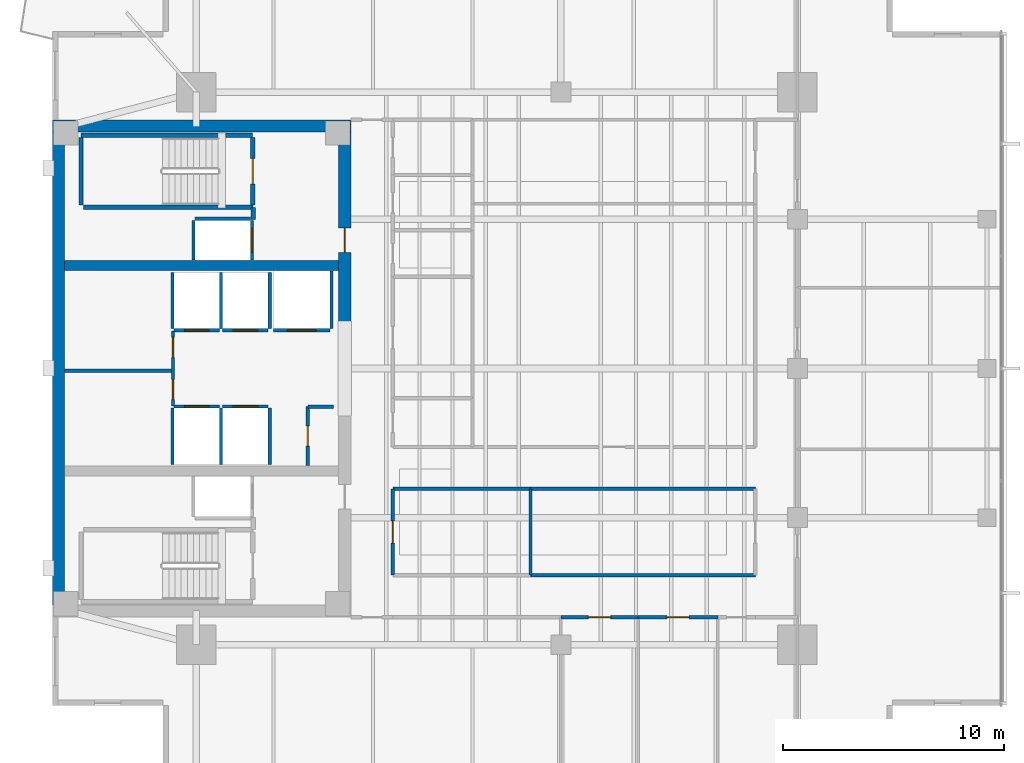
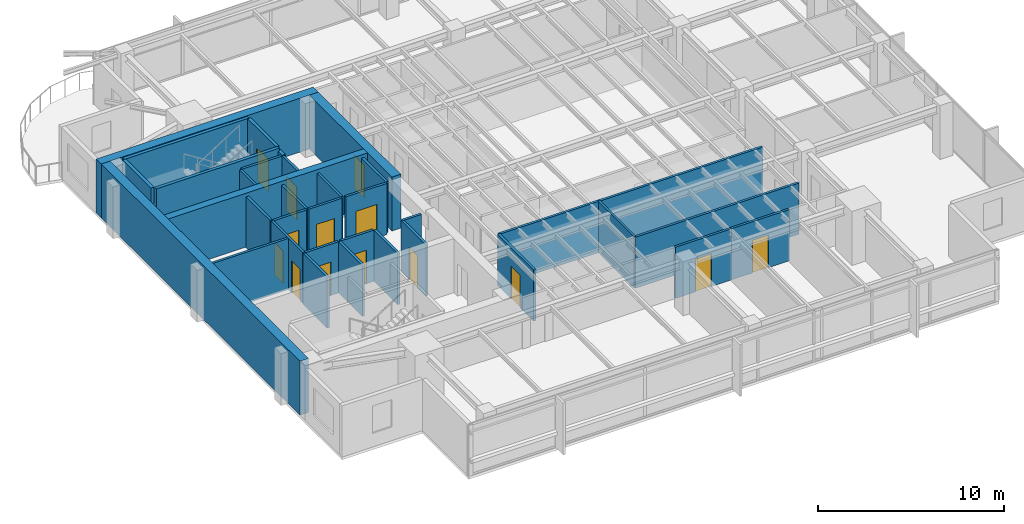
# One storey, part 8 of 14: 35 walls, 14 doors, 14 openings.
"""IFC4 building model written with IfcOpenShell, lengths in metres."""

from ifc_helpers import new_model, si_unit, direction, frame, frame_2d, origin, place, context, subcontext, project, spatial, rectangle, extrude, material, layer, layer_set, type_object, element, fill, save


model = new_model("IFC4")

# Units and contexts
model_context = context("Model", 3, precision=1e-05, world=origin(), true_north=direction((0.0, 1.0)))
body_context = subcontext(model_context, "Body", "Model", "MODEL_VIEW")
ifc_project = project(units=[si_unit("LENGTHUNIT", "METRE"), si_unit("AREAUNIT", "SQUARE_METRE"), si_unit("VOLUMEUNIT", "CUBIC_METRE"), si_unit("PLANEANGLEUNIT", "RADIAN"), si_unit("MASSUNIT", "GRAM", prefix="KILO")], contexts=[model_context])

# Site, building, storey
site_placement = place(None, origin())
site = spatial("IfcSite", under=ifc_project, at=site_placement, CompositionType="ELEMENT")
building_placement = place(site_placement, origin())
building = spatial("IfcBuilding", under=site, at=building_placement, Name="Kinhvarn Gate Tower", CompositionType="ELEMENT")
storey_placement = place(building_placement, frame((0.0, 0.0, 230.64990234375)))
storey = spatial("IfcBuildingStorey", under=building, at=storey_placement, Name="L61", CompositionType="ELEMENT", Elevation=230.64990234375)

# Walls
ifc_material_1 = material(Name="Concrete C50/60", Category="concrete")
ifc_layer_1 = layer(ifc_material_1, 0.449951171875)
ifc_layer_set_1 = layer_set([ifc_layer_1], Name="Concrete C50/60")
wall_type_1 = type_object("IfcWallType", Name="WL-CORE-450", PredefinedType="SHEAR", material=ifc_layer_set_1)
wall_1_placement = place(storey_placement, frame((5.050048828125, 29.89990234375, 0.0), z_axis=(0.0, 0.0, 1.0), x_axis=(1.0, 0.0, 0.0)))
element("IfcWall", 1, at=wall_1_placement, inside=storey, type_object=wall_type_1, Name="Core North Spine Shear Wall L61 450 mm", PredefinedType="SHEAR", context=body_context, shape_type="SweptSolid", body=[
    extrude(rectangle(XDim=12.39990234375, YDim=0.449951171875, at=frame_2d((6.199951171875, 0.0))), origin(), (0.0, 0.0, 1.0), 3.550048828125),
])
ifc_material_2 = material(Name="Concrete C60/75", Category="concrete")
ifc_layer_2 = layer(ifc_material_2, 0.550048828125)
ifc_layer_set_2 = layer_set([ifc_layer_2], Name="Concrete C60/75")
wall_type_2 = type_object("IfcWallType", Name="WL-CORE-550", PredefinedType="SHEAR", material=ifc_layer_set_2)
wall_2_placement = place(storey_placement, frame((4.5, 36.22509765625, 0.0), z_axis=(0.0, 0.0, 1.0), x_axis=(1.0, 0.0, 0.0)))
element("IfcWall", 2, at=wall_2_placement, inside=storey, type_object=wall_type_2, Name="Core North Shear Wall L61 550 mm", PredefinedType="SHEAR", context=body_context, shape_type="SweptSolid", body=[
    extrude(rectangle(XDim=13.5, YDim=0.550048828125, at=frame_2d((6.75, 0.0))), origin(), (0.0, 0.0, 1.0), 3.550048828125),
])

# Wall, opening, door
wall_3_placement = place(storey_placement, frame((17.72509765625, 27.050048828125, 0.0), z_axis=(0.0, 0.0, 1.0), x_axis=(0.0, 1.0, 0.0)))
wall_3 = element("IfcWall", 3, at=wall_3_placement, inside=storey, type_object=wall_type_2, Name="Core East-North Shear Pier L61 550 mm", PredefinedType="SHEAR", context=body_context, shape_type="SweptSolid", body=[
    extrude(rectangle(XDim=8.89990234375, YDim=0.550048828125, at=frame_2d((4.449951171875, 0.0))), origin(), (0.0, 0.0, 1.0), 3.550048828125),
])
opening_1_placement = place(wall_3_placement, frame((3.449951171875, 0.0, 0.0)))
opening_1 = element("IfcOpeningElement", 4, at=opening_1_placement, cuts=wall_3, Name="Opening FD-02", PredefinedType="OPENING", context=body_context, shape_type="SweptSolid", body=[
    extrude(rectangle(XDim=1.10009765625, YDim=2.14990234375, at=frame_2d((0.550048828125, 1.074951171875))), frame((0.0, 0.28515625, 0.0), z_axis=(0.0, -1.0, 0.0), x_axis=(1.0, 0.0, 0.0)), (0.0, 0.0, 1.0), 0.570068359375),
])
ifc_material_3 = material(Name="Anodised aluminium AW-6063", Category="aluminium")
door_type_1 = type_object("IfcDoorType", Name="DR-FD-1100", OperationType="NOTDEFINED", PredefinedType="DOOR", material=ifc_material_3)
door_1_placement = place(opening_1_placement, origin())
door_1 = element("IfcDoor", 5, at=door_1_placement, inside=storey, type_object=door_type_1, Name="Firefighting Lobby Core Door (L61)", OperationType="SINGLE_SWING_LEFT", OverallHeight=2.14990234375, OverallWidth=1.10009765625, PredefinedType="DOOR", context=body_context, shape_type="SweptSolid", body=[
    extrude(rectangle(XDim=1.10009765625, YDim=2.14990234375, at=frame_2d((0.550048828125, 1.074951171875))), frame((0.0, 0.02490234375, 0.0), z_axis=(0.0, -1.0, 0.0), x_axis=(1.0, 0.0, 0.0)), (0.0, 0.0, 1.0), 0.050048828125),
])
fill(opening_1, door_1)

# Walls
ifc_layer_3 = layer(ifc_material_2, 0.550048828125)
ifc_layer_set_3 = layer_set([ifc_layer_3], Name="Concrete C60/75")
wall_type_3 = type_object("IfcWallType", Name="WL-COREX-550", PredefinedType="SHEAR", material=ifc_layer_set_3)
wall_4_placement = place(storey_placement, frame((4.77490234375, 14.550048828125, 0.0), z_axis=(0.0, 0.0, 1.0), x_axis=(0.0, 1.0, 0.0)))
element("IfcWall", 6, at=wall_4_placement, inside=storey, type_object=wall_type_3, Name="Core West Shear Wall L61 550 mm", PredefinedType="SHEAR", context=body_context, shape_type="SweptSolid", body=[
    extrude(rectangle(XDim=21.39990234375, YDim=0.550048828125, at=frame_2d((10.699951171875, 0.0))), origin(), (0.0, 0.0, 1.0), 3.550048828125),
])
ifc_material_4 = material(Name="Gypsum acoustic partition board")
ifc_layer_4 = layer(ifc_material_4, 0.1201171875)
ifc_layer_set_4 = layer_set([ifc_layer_4], Name="Gypsum acoustic partition board")
wall_type_4 = type_object("IfcWallType", Name="WL-PRT-120", PredefinedType="PARTITIONING", material=ifc_layer_set_4)
wall_5_placement = place(storey_placement, frame((26.1298828125, 15.89990234375, 0.0), z_axis=(0.0, 0.0, 1.0), x_axis=(0.0, 1.0, 0.0)))
element("IfcWall", 7, at=wall_5_placement, inside=storey, type_object=wall_type_4, Name="Interior Partition PW-120 (L61)", PredefinedType="PARTITIONING", context=body_context, shape_type="SweptSolid", body=[
    extrude(rectangle(XDim=3.900146484375, YDim=0.1201171875, at=frame_2d((1.9501953125, 0.0))), origin(), (0.0, 0.0, 1.0), 3.3701171875),
])
ifc_layer_5 = layer(ifc_material_4, 0.14990234375)
ifc_layer_set_5 = layer_set([ifc_layer_5], Name="Gypsum acoustic partition board")
wall_type_5 = type_object("IfcWallType", Name="WL-PRT-150F", PredefinedType="PARTITIONING", material=ifc_layer_set_5)
wall_6_placement = place(storey_placement, frame((5.050048828125, 25.14990234375, 0.0), z_axis=(0.0, 0.0, 1.0), x_axis=(1.0, 0.0, 0.0)))
element("IfcWall", 8, at=wall_6_placement, inside=storey, type_object=wall_type_5, Name="Interior Partition PW-150F (L61)", PredefinedType="PARTITIONING", context=body_context, shape_type="SweptSolid", body=[
    extrude(rectangle(XDim=4.89990234375, YDim=0.14990234375, at=frame_2d((2.449951171875, 0.0))), origin(), (0.0, 0.0, 1.0), 3.3701171875),
])

# Wall, openings, doors
wall_7_placement = place(storey_placement, frame((9.949951171875, 23.550048828125, 0.0), z_axis=(0.0, 0.0, 1.0), x_axis=(0.0, 1.0, 0.0)))
wall_7 = element("IfcWall", 9, at=wall_7_placement, inside=storey, type_object=wall_type_5, Name="Interior Partition PW-150F (L61)", PredefinedType="PARTITIONING", context=body_context, shape_type="SweptSolid", body=[
    extrude(rectangle(XDim=3.39990234375, YDim=0.14990234375, at=frame_2d((1.699951171875, 0.0))), origin(), (0.0, 0.0, 1.0), 3.3701171875),
])
opening_2_placement = place(wall_7_placement, frame((0.298095703125, 0.0, 0.0)))
opening_2 = element("IfcOpeningElement", 10, at=opening_2_placement, cuts=wall_7, Name="Opening FD-04", PredefinedType="OPENING", context=body_context, shape_type="SweptSolid", body=[
    extrude(rectangle(XDim=0.89990234375, YDim=2.10009765625, at=frame_2d((0.449951171875, 1.050048828125))), frame((0.0, 0.0849609375, 0.0), z_axis=(0.0, -1.0, 0.0), x_axis=(1.0, 0.0, 0.0)), (0.0, 0.0, 1.0), 0.169921875),
])
opening_3_placement = place(wall_7_placement, frame((2.201904296875, 0.0, 0.0)))
opening_3 = element("IfcOpeningElement", 11, at=opening_3_placement, cuts=wall_7, Name="Opening FD-04", PredefinedType="OPENING", context=body_context, shape_type="SweptSolid", body=[
    extrude(rectangle(XDim=0.89990234375, YDim=2.10009765625, at=frame_2d((0.449951171875, 1.050048828125))), frame((0.0, 0.0849609375, 0.0), z_axis=(0.0, -1.0, 0.0), x_axis=(1.0, 0.0, 0.0)), (0.0, 0.0, 1.0), 0.169921875),
])
door_type_2 = type_object("IfcDoorType", Name="DR-FD-900", OperationType="NOTDEFINED", PredefinedType="DOOR", material=ifc_material_3)
door_2_placement = place(opening_2_placement, origin())
door_2 = element("IfcDoor", 12, at=door_2_placement, inside=storey, type_object=door_type_2, Name="Rated Riser & Service Closet Fire Door 900x2100 mm (L61)", OperationType="SINGLE_SWING_RIGHT", OverallHeight=2.10009765625, OverallWidth=0.89990234375, PredefinedType="DOOR", context=body_context, shape_type="SweptSolid", body=[
    extrude(rectangle(XDim=0.89990234375, YDim=2.10009765625, at=frame_2d((0.449951171875, 1.050048828125))), frame((0.0, 0.02490234375, 0.0), z_axis=(0.0, -1.0, 0.0), x_axis=(1.0, 0.0, 0.0)), (0.0, 0.0, 1.0), 0.050048828125),
])
fill(opening_2, door_2)
door_3_placement = place(opening_3_placement, origin())
door_3 = element("IfcDoor", 13, at=door_3_placement, inside=storey, type_object=door_type_2, Name="Rated Riser & Service Closet Fire Door 900x2100 mm (L61)", OperationType="SINGLE_SWING_LEFT", OverallHeight=2.10009765625, OverallWidth=0.89990234375, PredefinedType="DOOR", context=body_context, shape_type="SweptSolid", body=[
    extrude(rectangle(XDim=0.89990234375, YDim=2.10009765625, at=frame_2d((0.449951171875, 1.050048828125))), frame((0.0, 0.02490234375, 0.0), z_axis=(0.0, -1.0, 0.0), x_axis=(1.0, 0.0, 0.0)), (0.0, 0.0, 1.0), 0.050048828125),
])
fill(opening_3, door_3)

# Wall, opening, door
wall_8_placement = place(storey_placement, frame((16.050048828125, 20.85009765625, 0.0), z_axis=(0.0, 0.0, 1.0), x_axis=(0.0, 1.0, 0.0)))
wall_8 = element("IfcWall", 14, at=wall_8_placement, inside=storey, type_object=wall_type_5, Name="Interior Partition PW-150F (L61)", PredefinedType="PARTITIONING", context=body_context, shape_type="SweptSolid", body=[
    extrude(rectangle(XDim=2.669921875, YDim=0.14990234375, at=frame_2d((1.3349609375, 0.0))), origin(), (0.0, 0.0, 1.0), 3.3701171875),
])
opening_4_placement = place(wall_8_placement, frame((0.885009765625, 0.0, 0.0)))
opening_4 = element("IfcOpeningElement", 15, at=opening_4_placement, cuts=wall_8, Name="Opening FD-04", PredefinedType="OPENING", context=body_context, shape_type="SweptSolid", body=[
    extrude(rectangle(XDim=0.89990234375, YDim=2.10009765625, at=frame_2d((0.449951171875, 1.050048828125))), frame((0.0, 0.0849609375, 0.0), z_axis=(0.0, -1.0, 0.0), x_axis=(1.0, 0.0, 0.0)), (0.0, 0.0, 1.0), 0.169921875),
])
door_4_placement = place(opening_4_placement, origin())
door_4 = element("IfcDoor", 16, at=door_4_placement, inside=storey, type_object=door_type_2, Name="Rated Riser & Service Closet Fire Door 900x2100 mm (L61)", OperationType="SINGLE_SWING_RIGHT", OverallHeight=2.10009765625, OverallWidth=0.89990234375, PredefinedType="DOOR", context=body_context, shape_type="SweptSolid", body=[
    extrude(rectangle(XDim=0.89990234375, YDim=2.10009765625, at=frame_2d((0.449951171875, 1.050048828125))), frame((0.0, 0.02490234375, 0.0), z_axis=(0.0, -1.0, 0.0), x_axis=(1.0, 0.0, 0.0)), (0.0, 0.0, 1.0), 0.050048828125),
])
fill(opening_4, door_4)

# Wall
wall_9_placement = place(storey_placement, frame((16.050048828125, 23.52001953125, 0.0), z_axis=(0.0, 0.0, 1.0), x_axis=(1.0, 0.0, 0.0)))
element("IfcWall", 17, at=wall_9_placement, inside=storey, type_object=wall_type_5, Name="Interior Partition PW-150F (L61)", PredefinedType="PARTITIONING", context=body_context, shape_type="SweptSolid", body=[
    extrude(rectangle(XDim=1.169921875, YDim=0.14990234375, at=frame_2d((0.5849609375, 0.0))), origin(), (0.0, 0.0, 1.0), 3.3701171875),
])

# Wall, opening, door
wall_10_placement = place(storey_placement, frame((19.89990234375, 15.89990234375, 0.0), z_axis=(0.0, 0.0, 1.0), x_axis=(0.0, 1.0, 0.0)))
wall_10 = element("IfcWall", 18, at=wall_10_placement, inside=storey, type_object=wall_type_5, Name="Interior Partition PW-150F (L61)", PredefinedType="PARTITIONING", context=body_context, shape_type="SweptSolid", body=[
    extrude(rectangle(XDim=3.900146484375, YDim=0.14990234375, at=frame_2d((1.9501953125, 0.0))), origin(), (0.0, 0.0, 1.0), 3.3701171875),
])
opening_5_placement = place(wall_10_placement, frame((1.449951171875, 0.0, 0.0)))
opening_5 = element("IfcOpeningElement", 19, at=opening_5_placement, cuts=wall_10, Name="Opening ID-02", PredefinedType="OPENING", context=body_context, shape_type="SweptSolid", body=[
    extrude(rectangle(XDim=1.0, YDim=2.14990234375, at=frame_2d((0.5, 1.074951171875))), frame((0.0, 0.0849609375, 0.0), z_axis=(0.0, -1.0, 0.0), x_axis=(1.0, 0.0, 0.0)), (0.0, 0.0, 1.0), 0.169921875),
])
door_type_3 = type_object("IfcDoorType", Name="DR-INT-1000", OperationType="NOTDEFINED", PredefinedType="DOOR", material=ifc_material_3)
door_5_placement = place(opening_5_placement, origin())
door_5 = element("IfcDoor", 20, at=door_5_placement, inside=storey, type_object=door_type_3, Name="Standard Office & Meeting Room Door 1000x2150 mm (L61)", OperationType="SINGLE_SWING_LEFT", OverallHeight=2.14990234375, OverallWidth=1.0, PredefinedType="DOOR", context=body_context, shape_type="SweptSolid", body=[
    extrude(rectangle(XDim=1.0, YDim=2.14990234375, at=frame_2d((0.5, 1.074951171875))), frame((0.0, 0.02490234375, 0.0), z_axis=(0.0, -1.0, 0.0), x_axis=(1.0, 0.0, 0.0)), (0.0, 0.0, 1.0), 0.050048828125),
])
fill(opening_5, door_5)

# Walls
wall_11_placement = place(storey_placement, frame((19.89990234375, 19.800048828125, 0.0), z_axis=(0.0, 0.0, 1.0), x_axis=(1.0, 0.0, 0.0)))
element("IfcWall", 21, at=wall_11_placement, inside=storey, type_object=wall_type_5, Name="Interior Partition PW-150F (L61)", PredefinedType="PARTITIONING", context=body_context, shape_type="SweptSolid", body=[
    extrude(rectangle(XDim=6.22998046875, YDim=0.14990234375, at=frame_2d((3.114990234375, 0.0))), origin(), (0.0, 0.0, 1.0), 3.3701171875),
])
for number, where, z_axis, x_axis, name in (
    (22, (26.1298828125, 19.800048828125, 0.0), (0.0, 0.0, 1.0), (1.0, 0.0, 0.0), "Interior Partition PW-150F (L61)"),
    (23, (26.1298828125, 15.89990234375, 0.0), (0.0, 0.0, 1.0), (1.0, 0.0, 0.0), "Interior Partition PW-150F (L61)"),
):
    element("IfcWall", number, at=place(storey_placement, frame(where, z_axis=z_axis, x_axis=x_axis)), inside=storey, type_object=wall_type_5, Name=name, PredefinedType="PARTITIONING", context=body_context, shape_type="SweptSolid", body=[
        extrude(rectangle(XDim=10.170166015625, YDim=0.14990234375, at=frame_2d((5.0849609375, 0.0))), origin(), (0.0, 0.0, 1.0), 3.3701171875),
    ])

# Wall, opening, door
wall_12_placement = place(storey_placement, frame((27.5, 14.0, 0.0), z_axis=(0.0, 0.0, 1.0), x_axis=(1.0, 0.0, 0.0)))
wall_12 = element("IfcWall", 24, at=wall_12_placement, inside=storey, type_object=wall_type_5, Name="Interior Partition PW-150F (L61)", PredefinedType="PARTITIONING", context=body_context, shape_type="SweptSolid", body=[
    extrude(rectangle(XDim=3.5, YDim=0.14990234375, at=frame_2d((1.75, 0.0))), origin(), (0.0, 0.0, 1.0), 3.3701171875),
])
opening_6_placement = place(wall_12_placement, frame((1.25, 0.0, 0.0)))
opening_6 = element("IfcOpeningElement", 25, at=opening_6_placement, cuts=wall_12, Name="Opening ID-02", PredefinedType="OPENING", context=body_context, shape_type="SweptSolid", body=[
    extrude(rectangle(XDim=1.0, YDim=2.14990234375, at=frame_2d((0.5, 1.074951171875))), frame((0.0, 0.0849609375, 0.0), z_axis=(0.0, -1.0, 0.0), x_axis=(1.0, 0.0, 0.0)), (0.0, 0.0, 1.0), 0.169921875),
])
door_6_placement = place(opening_6_placement, origin())
door_6 = element("IfcDoor", 26, at=door_6_placement, inside=storey, type_object=door_type_3, Name="Standard Office & Meeting Room Door 1000x2150 mm (L61)", OperationType="SINGLE_SWING_LEFT", OverallHeight=2.14990234375, OverallWidth=1.0, PredefinedType="DOOR", context=body_context, shape_type="SweptSolid", body=[
    extrude(rectangle(XDim=1.0, YDim=2.14990234375, at=frame_2d((0.5, 1.074951171875))), frame((0.0, 0.02490234375, 0.0), z_axis=(0.0, -1.0, 0.0), x_axis=(1.0, 0.0, 0.0)), (0.0, 0.0, 1.0), 0.050048828125),
])
fill(opening_6, door_6)

wall_13_placement = place(storey_placement, frame((31.0, 14.0, 0.0), z_axis=(0.0, 0.0, 1.0), x_axis=(1.0, 0.0, 0.0)))
wall_13 = element("IfcWall", 27, at=wall_13_placement, inside=storey, type_object=wall_type_5, Name="Interior Partition PW-150F (L61)", PredefinedType="PARTITIONING", context=body_context, shape_type="SweptSolid", body=[
    extrude(rectangle(XDim=3.60009765625, YDim=0.14990234375, at=frame_2d((1.800048828125, 0.0))), origin(), (0.0, 0.0, 1.0), 3.3701171875),
])
opening_7_placement = place(wall_13_placement, frame((1.300048828125, 0.0, 0.0)))
opening_7 = element("IfcOpeningElement", 28, at=opening_7_placement, cuts=wall_13, Name="Opening ID-02", PredefinedType="OPENING", context=body_context, shape_type="SweptSolid", body=[
    extrude(rectangle(XDim=1.0, YDim=2.14990234375, at=frame_2d((0.5, 1.074951171875))), frame((0.0, 0.0849609375, 0.0), z_axis=(0.0, -1.0, 0.0), x_axis=(1.0, 0.0, 0.0)), (0.0, 0.0, 1.0), 0.169921875),
])
door_7_placement = place(opening_7_placement, origin())
door_7 = element("IfcDoor", 29, at=door_7_placement, inside=storey, type_object=door_type_3, Name="Standard Office & Meeting Room Door 1000x2150 mm (L61)", OperationType="SINGLE_SWING_RIGHT", OverallHeight=2.14990234375, OverallWidth=1.0, PredefinedType="DOOR", context=body_context, shape_type="SweptSolid", body=[
    extrude(rectangle(XDim=1.0, YDim=2.14990234375, at=frame_2d((0.5, 1.074951171875))), frame((0.0, 0.02490234375, 0.0), z_axis=(0.0, -1.0, 0.0), x_axis=(1.0, 0.0, 0.0)), (0.0, 0.0, 1.0), 0.050048828125),
])
fill(opening_7, door_7)

# Wall
ifc_layer_6 = layer(ifc_material_4, 0.199951171875)
ifc_layer_set_6 = layer_set([ifc_layer_6], Name="Gypsum acoustic partition board")
wall_type_6 = type_object("IfcWallType", Name="WL-PRT-200", PredefinedType="PARTITIONING", material=ifc_layer_set_6)
wall_14_placement = place(storey_placement, frame((13.580078125, 32.0, 0.0), z_axis=(0.0, 0.0, 1.0), x_axis=(0.0, 1.0, 0.0)))
element("IfcWall", 30, at=wall_14_placement, inside=storey, type_object=wall_type_6, Name="Interior Partition PW-200 (L61)", PredefinedType="PARTITIONING", context=body_context, shape_type="SweptSolid", body=[
    extrude(rectangle(XDim=0.5400390625, YDim=0.199951171875, at=frame_2d((0.27001953125, 0.0))), origin(), (0.0, 0.0, 1.0), 3.3701171875),
])

# Wall, opening, door
ifc_layer_7 = layer(ifc_material_4, 0.14990234375)
ifc_layer_set_7 = layer_set([ifc_layer_7], Name="Gypsum acoustic partition board")
wall_type_7 = type_object("IfcWallType", Name="WL-SHF-150", PredefinedType="PARTITIONING", material=ifc_layer_set_7)
wall_15_placement = place(storey_placement, frame((10.0, 23.52490234375, 0.0), z_axis=(0.0, 0.0, 1.0), x_axis=(1.0, 0.0, 0.0)))
wall_15 = element("IfcWall", 31, at=wall_15_placement, inside=storey, type_object=wall_type_7, Name="Elevator PH-09 Landing Wall (L61)", PredefinedType="PARTITIONING", context=body_context, shape_type="SweptSolid", body=[
    extrude(rectangle(XDim=2.050048828125, YDim=0.14990234375, at=frame_2d((1.02490234375, 0.0))), origin(), (0.0, 0.0, 1.0), 3.3701171875),
])
opening_8_placement = place(wall_15_placement, frame((0.47509765625, 0.0, 0.0)))
opening_8 = element("IfcOpeningElement", 32, at=opening_8_placement, cuts=wall_15, Name="Opening LD-01", PredefinedType="OPENING", context=body_context, shape_type="SweptSolid", body=[
    extrude(rectangle(XDim=1.10009765625, YDim=2.199951171875, at=frame_2d((0.550048828125, 1.10009765625))), frame((0.0, 0.0849609375, 0.0), z_axis=(0.0, -1.0, 0.0), x_axis=(1.0, 0.0, 0.0)), (0.0, 0.0, 1.0), 0.169921875),
])
door_type_4 = type_object("IfcDoorType", Name="DR-LND-PAS", OperationType="NOTDEFINED", PredefinedType="DOOR", material=ifc_material_3)
door_8_placement = place(opening_8_placement, origin())
door_8 = element("IfcDoor", 33, at=door_8_placement, inside=storey, type_object=door_type_4, Name="Elevator PH-09 Sliding Landing Door (L61)", OperationType="DOUBLE_DOOR_SLIDING", OverallHeight=2.199951171875, OverallWidth=1.10009765625, PredefinedType="DOOR", context=body_context, shape_type="SweptSolid", body=[
    extrude(rectangle(XDim=1.10009765625, YDim=2.199951171875, at=frame_2d((0.550048828125, 1.10009765625))), frame((0.0, 0.02490234375, 0.0), z_axis=(0.0, -1.0, 0.0), x_axis=(1.0, 0.0, 0.0)), (0.0, 0.0, 1.0), 0.050048828125),
])
fill(opening_8, door_8)

# Walls
for number, where, z_axis, x_axis, name in (
    (34, (9.925048828125, 20.89990234375, 0.0), (0.0, 0.0, 1.0), (0.0, 1.0, 0.0), "Elevator PH-09 Hoistway Wall W (L61)"),
    (35, (12.125, 20.89990234375, 0.0), (0.0, 0.0, 1.0), (0.0, 1.0, 0.0), "Elevator PH-09 Hoistway Wall E (L61)"),
):
    element("IfcWall", number, at=place(storey_placement, frame(where, z_axis=z_axis, x_axis=x_axis)), inside=storey, type_object=wall_type_7, Name=name, PredefinedType="PARTITIONING", context=body_context, shape_type="SweptSolid", body=[
        extrude(rectangle(XDim=2.550048828125, YDim=0.14990234375, at=frame_2d((1.27490234375, 0.0))), origin(), (0.0, 0.0, 1.0), 3.3701171875),
    ])

# Wall, opening, door
wall_16_placement = place(storey_placement, frame((12.199951171875, 23.52490234375, 0.0), z_axis=(0.0, 0.0, 1.0), x_axis=(1.0, 0.0, 0.0)))
wall_16 = element("IfcWall", 36, at=wall_16_placement, inside=storey, type_object=wall_type_7, Name="Elevator PH-10 Landing Wall (L61)", PredefinedType="PARTITIONING", context=body_context, shape_type="SweptSolid", body=[
    extrude(rectangle(XDim=2.050048828125, YDim=0.14990234375, at=frame_2d((1.02490234375, 0.0))), origin(), (0.0, 0.0, 1.0), 3.3701171875),
])
opening_9_placement = place(wall_16_placement, frame((0.47509765625, 0.0, 0.0)))
opening_9 = element("IfcOpeningElement", 37, at=opening_9_placement, cuts=wall_16, Name="Opening LD-01", PredefinedType="OPENING", context=body_context, shape_type="SweptSolid", body=[
    extrude(rectangle(XDim=1.10009765625, YDim=2.199951171875, at=frame_2d((0.550048828125, 1.10009765625))), frame((0.0, 0.0849609375, 0.0), z_axis=(0.0, -1.0, 0.0), x_axis=(1.0, 0.0, 0.0)), (0.0, 0.0, 1.0), 0.169921875),
])
door_9_placement = place(opening_9_placement, origin())
door_9 = element("IfcDoor", 38, at=door_9_placement, inside=storey, type_object=door_type_4, Name="Elevator PH-10 Sliding Landing Door (L61)", OperationType="DOUBLE_DOOR_SLIDING", OverallHeight=2.199951171875, OverallWidth=1.10009765625, PredefinedType="DOOR", context=body_context, shape_type="SweptSolid", body=[
    extrude(rectangle(XDim=1.10009765625, YDim=2.199951171875, at=frame_2d((0.550048828125, 1.10009765625))), frame((0.0, 0.02490234375, 0.0), z_axis=(0.0, -1.0, 0.0), x_axis=(1.0, 0.0, 0.0)), (0.0, 0.0, 1.0), 0.050048828125),
])
fill(opening_9, door_9)

# Wall
wall_17_placement = place(storey_placement, frame((14.324951171875, 20.89990234375, 0.0), z_axis=(0.0, 0.0, 1.0), x_axis=(0.0, 1.0, 0.0)))
element("IfcWall", 39, at=wall_17_placement, inside=storey, type_object=wall_type_7, Name="Elevator PH-10 Hoistway Wall E (L61)", PredefinedType="PARTITIONING", context=body_context, shape_type="SweptSolid", body=[
    extrude(rectangle(XDim=2.550048828125, YDim=0.14990234375, at=frame_2d((1.27490234375, 0.0))), origin(), (0.0, 0.0, 1.0), 3.3701171875),
])

# Wall, opening, door
wall_18_placement = place(storey_placement, frame((10.0, 26.97509765625, 0.0), z_axis=(0.0, 0.0, 1.0), x_axis=(1.0, 0.0, 0.0)))
wall_18 = element("IfcWall", 40, at=wall_18_placement, inside=storey, type_object=wall_type_7, Name="Elevator PH-11 Landing Wall (L61)", PredefinedType="PARTITIONING", context=body_context, shape_type="SweptSolid", body=[
    extrude(rectangle(XDim=2.050048828125, YDim=0.14990234375, at=frame_2d((1.02490234375, 0.0))), origin(), (0.0, 0.0, 1.0), 3.3701171875),
])
opening_10_placement = place(wall_18_placement, frame((0.47509765625, 0.0, 0.0)))
opening_10 = element("IfcOpeningElement", 41, at=opening_10_placement, cuts=wall_18, Name="Opening LD-01", PredefinedType="OPENING", context=body_context, shape_type="SweptSolid", body=[
    extrude(rectangle(XDim=1.10009765625, YDim=2.199951171875, at=frame_2d((0.550048828125, 1.10009765625))), frame((0.0, 0.0849609375, 0.0), z_axis=(0.0, -1.0, 0.0), x_axis=(1.0, 0.0, 0.0)), (0.0, 0.0, 1.0), 0.169921875),
])
door_10_placement = place(opening_10_placement, origin())
door_10 = element("IfcDoor", 42, at=door_10_placement, inside=storey, type_object=door_type_4, Name="Elevator PH-11 Sliding Landing Door (L61)", OperationType="DOUBLE_DOOR_SLIDING", OverallHeight=2.199951171875, OverallWidth=1.10009765625, PredefinedType="DOOR", context=body_context, shape_type="SweptSolid", body=[
    extrude(rectangle(XDim=1.10009765625, YDim=2.199951171875, at=frame_2d((0.550048828125, 1.10009765625))), frame((0.0, 0.02490234375, 0.0), z_axis=(0.0, -1.0, 0.0), x_axis=(1.0, 0.0, 0.0)), (0.0, 0.0, 1.0), 0.050048828125),
])
fill(opening_10, door_10)

# Walls
for number, where, z_axis, x_axis, name in (
    (43, (9.925048828125, 27.050048828125, 0.0), (0.0, 0.0, 1.0), (0.0, 1.0, 0.0), "Elevator PH-11 Hoistway Wall W (L61)"),
    (44, (12.125, 27.050048828125, 0.0), (0.0, 0.0, 1.0), (0.0, 1.0, 0.0), "Elevator PH-11 Hoistway Wall E (L61)"),
):
    element("IfcWall", number, at=place(storey_placement, frame(where, z_axis=z_axis, x_axis=x_axis)), inside=storey, type_object=wall_type_7, Name=name, PredefinedType="PARTITIONING", context=body_context, shape_type="SweptSolid", body=[
        extrude(rectangle(XDim=2.550048828125, YDim=0.14990234375, at=frame_2d((1.27490234375, 0.0))), origin(), (0.0, 0.0, 1.0), 3.3701171875),
    ])

# Wall, opening, door
wall_19_placement = place(storey_placement, frame((12.199951171875, 26.97509765625, 0.0), z_axis=(0.0, 0.0, 1.0), x_axis=(1.0, 0.0, 0.0)))
wall_19 = element("IfcWall", 45, at=wall_19_placement, inside=storey, type_object=wall_type_7, Name="Elevator PH-12 Landing Wall (L61)", PredefinedType="PARTITIONING", context=body_context, shape_type="SweptSolid", body=[
    extrude(rectangle(XDim=2.050048828125, YDim=0.14990234375, at=frame_2d((1.02490234375, 0.0))), origin(), (0.0, 0.0, 1.0), 3.3701171875),
])
opening_11_placement = place(wall_19_placement, frame((0.47509765625, 0.0, 0.0)))
opening_11 = element("IfcOpeningElement", 46, at=opening_11_placement, cuts=wall_19, Name="Opening LD-01", PredefinedType="OPENING", context=body_context, shape_type="SweptSolid", body=[
    extrude(rectangle(XDim=1.10009765625, YDim=2.199951171875, at=frame_2d((0.550048828125, 1.10009765625))), frame((0.0, 0.0849609375, 0.0), z_axis=(0.0, -1.0, 0.0), x_axis=(1.0, 0.0, 0.0)), (0.0, 0.0, 1.0), 0.169921875),
])
door_11_placement = place(opening_11_placement, origin())
door_11 = element("IfcDoor", 47, at=door_11_placement, inside=storey, type_object=door_type_4, Name="Elevator PH-12 Sliding Landing Door (L61)", OperationType="DOUBLE_DOOR_SLIDING", OverallHeight=2.199951171875, OverallWidth=1.10009765625, PredefinedType="DOOR", context=body_context, shape_type="SweptSolid", body=[
    extrude(rectangle(XDim=1.10009765625, YDim=2.199951171875, at=frame_2d((0.550048828125, 1.10009765625))), frame((0.0, 0.02490234375, 0.0), z_axis=(0.0, -1.0, 0.0), x_axis=(1.0, 0.0, 0.0)), (0.0, 0.0, 1.0), 0.050048828125),
])
fill(opening_11, door_11)

# Wall
wall_20_placement = place(storey_placement, frame((14.324951171875, 27.050048828125, 0.0), z_axis=(0.0, 0.0, 1.0), x_axis=(0.0, 1.0, 0.0)))
element("IfcWall", 48, at=wall_20_placement, inside=storey, type_object=wall_type_7, Name="Elevator PH-12 Hoistway Wall E (L61)", PredefinedType="PARTITIONING", context=body_context, shape_type="SweptSolid", body=[
    extrude(rectangle(XDim=2.550048828125, YDim=0.14990234375, at=frame_2d((1.27490234375, 0.0))), origin(), (0.0, 0.0, 1.0), 3.3701171875),
])

# Wall, opening, door
wall_21_placement = place(storey_placement, frame((14.5, 26.97509765625, 0.0), z_axis=(0.0, 0.0, 1.0), x_axis=(1.0, 0.0, 0.0)))
wall_21 = element("IfcWall", 49, at=wall_21_placement, inside=storey, type_object=wall_type_7, Name="Elevator SV-01 Landing Wall (L61)", PredefinedType="PARTITIONING", context=body_context, shape_type="SweptSolid", body=[
    extrude(rectangle(XDim=2.550048828125, YDim=0.14990234375, at=frame_2d((1.27490234375, 0.0))), origin(), (0.0, 0.0, 1.0), 3.3701171875),
])
opening_12_placement = place(wall_21_placement, frame((0.625, 0.0, 0.0)))
opening_12 = element("IfcOpeningElement", 50, at=opening_12_placement, cuts=wall_21, Name="Opening LD-02", PredefinedType="OPENING", context=body_context, shape_type="SweptSolid", body=[
    extrude(rectangle(XDim=1.300048828125, YDim=2.199951171875, at=frame_2d((0.64990234375, 1.10009765625))), frame((0.0, 0.0849609375, 0.0), z_axis=(0.0, -1.0, 0.0), x_axis=(1.0, 0.0, 0.0)), (0.0, 0.0, 1.0), 0.169921875),
])
door_type_5 = type_object("IfcDoorType", Name="DR-LND-SRV", OperationType="NOTDEFINED", PredefinedType="DOOR", material=ifc_material_3)
door_12_placement = place(opening_12_placement, origin())
door_12 = element("IfcDoor", 51, at=door_12_placement, inside=storey, type_object=door_type_5, Name="Elevator SV-01 Sliding Landing Door (L61)", OperationType="DOUBLE_DOOR_SLIDING", OverallHeight=2.199951171875, OverallWidth=1.300048828125, PredefinedType="DOOR", context=body_context, shape_type="SweptSolid", body=[
    extrude(rectangle(XDim=1.300048828125, YDim=2.199951171875, at=frame_2d((0.64990234375, 1.10009765625))), frame((0.0, 0.02490234375, 0.0), z_axis=(0.0, -1.0, 0.0), x_axis=(1.0, 0.0, 0.0)), (0.0, 0.0, 1.0), 0.050048828125),
])
fill(opening_12, door_12)

# Walls
wall_22_placement = place(storey_placement, frame((17.125, 27.050048828125, 0.0), z_axis=(0.0, 0.0, 1.0), x_axis=(0.0, 1.0, 0.0)))
element("IfcWall", 52, at=wall_22_placement, inside=storey, type_object=wall_type_7, Name="Elevator SV-01 Hoistway Wall E (L61)", PredefinedType="PARTITIONING", context=body_context, shape_type="SweptSolid", body=[
    extrude(rectangle(XDim=2.599853515625, YDim=0.14990234375, at=frame_2d((1.2998046875, 0.0))), origin(), (0.0, 0.0, 1.0), 3.3701171875),
])
wall_23_placement = place(storey_placement, frame((10.949951171875, 32.02490234375, 0.0), z_axis=(0.0, 0.0, 1.0), x_axis=(1.0, 0.0, 0.0)))
element("IfcWall", 53, at=wall_23_placement, inside=storey, type_object=wall_type_7, Name="Elevator FF2 Hoistway Wall N (L61)", PredefinedType="PARTITIONING", context=body_context, shape_type="SweptSolid", body=[
    extrude(rectangle(XDim=2.5, YDim=0.14990234375, at=frame_2d((1.25, 0.0))), origin(), (0.0, 0.0, 1.0), 3.3701171875),
])
wall_24_placement = place(storey_placement, frame((10.875, 30.14990234375, 0.0), z_axis=(0.0, 0.0, 1.0), x_axis=(0.0, 1.0, 0.0)))
element("IfcWall", 54, at=wall_24_placement, inside=storey, type_object=wall_type_7, Name="Elevator FF2 Hoistway Wall W (L61)", PredefinedType="PARTITIONING", context=body_context, shape_type="SweptSolid", body=[
    extrude(rectangle(XDim=1.800048828125, YDim=0.14990234375, at=frame_2d((0.89990234375, 0.0))), origin(), (0.0, 0.0, 1.0), 3.3701171875),
])

# Wall, opening, door
wall_25_placement = place(storey_placement, frame((13.52490234375, 30.14990234375, 0.0), z_axis=(0.0, 0.0, 1.0), x_axis=(0.0, 1.0, 0.0)))
wall_25 = element("IfcWall", 55, at=wall_25_placement, inside=storey, type_object=wall_type_7, Name="Elevator FF2 Landing Wall (L61)", PredefinedType="PARTITIONING", context=body_context, shape_type="SweptSolid", body=[
    extrude(rectangle(XDim=1.800048828125, YDim=0.14990234375, at=frame_2d((0.89990234375, 0.0))), origin(), (0.0, 0.0, 1.0), 3.3701171875),
])
opening_13_placement = place(wall_25_placement, frame((0.35009765625, 0.0, 0.0)))
opening_13 = element("IfcOpeningElement", 56, at=opening_13_placement, cuts=wall_25, Name="Opening LD-03", PredefinedType="OPENING", context=body_context, shape_type="SweptSolid", body=[
    extrude(rectangle(XDim=1.10009765625, YDim=2.199951171875, at=frame_2d((0.550048828125, 1.10009765625))), frame((0.0, 0.0849609375, 0.0), z_axis=(0.0, -1.0, 0.0), x_axis=(1.0, 0.0, 0.0)), (0.0, 0.0, 1.0), 0.169921875),
])
door_type_6 = type_object("IfcDoorType", Name="DR-LND-FF", OperationType="NOTDEFINED", PredefinedType="DOOR", material=ifc_material_3)
door_13_placement = place(opening_13_placement, origin())
door_13 = element("IfcDoor", 57, at=door_13_placement, inside=storey, type_object=door_type_6, Name="Elevator FF2 Sliding Landing Door (L61)", OperationType="DOUBLE_DOOR_SLIDING", OverallHeight=2.199951171875, OverallWidth=1.10009765625, PredefinedType="DOOR", context=body_context, shape_type="SweptSolid", body=[
    extrude(rectangle(XDim=1.10009765625, YDim=2.199951171875, at=frame_2d((0.550048828125, 1.10009765625))), frame((0.0, 0.02490234375, 0.0), z_axis=(0.0, -1.0, 0.0), x_axis=(1.0, 0.0, 0.0)), (0.0, 0.0, 1.0), 0.050048828125),
])
fill(opening_13, door_13)

# Walls
ifc_material_5 = material(Name="Concrete C40/50", Category="concrete")
ifc_layer_8 = layer(ifc_material_5, 0.199951171875)
ifc_layer_set_8 = layer_set([ifc_layer_8], Name="Concrete C40/50")
wall_type_8 = type_object("IfcWallType", Name="WL-SHF-200", PredefinedType="SOLIDWALL", material=ifc_layer_set_8)
wall_26_placement = place(storey_placement, frame((5.800048828125, 35.800048828125, 0.0), z_axis=(0.0, 0.0, 1.0), x_axis=(1.0, 0.0, 0.0)))
element("IfcWall", 58, at=wall_26_placement, inside=storey, type_object=wall_type_8, Name="Stair ST2 North Shaft Wall (L61)", PredefinedType="SOLIDWALL", context=body_context, shape_type="SweptSolid", body=[
    extrude(rectangle(XDim=7.75, YDim=0.199951171875, at=frame_2d((3.875, 0.0))), origin(), (0.0, 0.0, 1.0), 3.550048828125),
])
wall_27_placement = place(storey_placement, frame((5.7900390625, 32.64990234375, 0.0), z_axis=(0.0, 0.0, 1.0), x_axis=(0.0, 1.0, 0.0)))
element("IfcWall", 59, at=wall_27_placement, inside=storey, type_object=wall_type_8, Name="Stair ST2 West Shaft Wall (L61)", PredefinedType="SOLIDWALL", context=body_context, shape_type="SweptSolid", body=[
    extrude(rectangle(XDim=3.050048828125, YDim=0.199951171875, at=frame_2d((1.52490234375, 0.0))), origin(), (0.0, 0.0, 1.0), 3.550048828125),
])
wall_28_placement = place(storey_placement, frame((5.89990234375, 32.5400390625, 0.0), z_axis=(0.0, 0.0, 1.0), x_axis=(1.0, 0.0, 0.0)))
element("IfcWall", 60, at=wall_28_placement, inside=storey, type_object=wall_type_8, Name="Stair ST2 South Shaft Wall (L61)", PredefinedType="SOLIDWALL", context=body_context, shape_type="SweptSolid", body=[
    extrude(rectangle(XDim=7.66015625, YDim=0.199951171875, at=frame_2d((3.830078125, 0.0))), origin(), (0.0, 0.0, 1.0), 3.550048828125),
])

# Wall, opening, door
wall_29_placement = place(storey_placement, frame((13.56005859375, 32.64990234375, 0.0), z_axis=(0.0, 0.0, 1.0), x_axis=(0.0, 1.0, 0.0)))
wall_29 = element("IfcWall", 61, at=wall_29_placement, inside=storey, type_object=wall_type_8, Name="Stair ST2 East Entry Wall (L61)", PredefinedType="SOLIDWALL", context=body_context, shape_type="SweptSolid", body=[
    extrude(rectangle(XDim=3.050048828125, YDim=0.199951171875, at=frame_2d((1.52490234375, 0.0))), origin(), (0.0, 0.0, 1.0), 3.550048828125),
])
opening_14_placement = place(wall_29_placement, frame((0.949951171875, 0.0, 0.0)))
opening_14 = element("IfcOpeningElement", 62, at=opening_14_placement, cuts=wall_29, Name="Opening FD-01", PredefinedType="OPENING", context=body_context, shape_type="SweptSolid", body=[
    extrude(rectangle(XDim=1.14990234375, YDim=2.14990234375, at=frame_2d((0.574951171875, 1.074951171875))), frame((0.0, 0.10986328125, 0.0), z_axis=(0.0, -1.0, 0.0), x_axis=(1.0, 0.0, 0.0)), (0.0, 0.0, 1.0), 0.219970703125),
])
door_type_7 = type_object("IfcDoorType", Name="DR-ST-1150", OperationType="NOTDEFINED", PredefinedType="DOOR", material=ifc_material_3)
door_14_placement = place(opening_14_placement, origin())
door_14 = element("IfcDoor", 63, at=door_14_placement, inside=storey, type_object=door_type_7, Name="Exit Stair ST2 Fire Door (L61)", OperationType="SINGLE_SWING_RIGHT", OverallHeight=2.14990234375, OverallWidth=1.14990234375, PredefinedType="DOOR", context=body_context, shape_type="SweptSolid", body=[
    extrude(rectangle(XDim=1.14990234375, YDim=2.14990234375, at=frame_2d((0.574951171875, 1.074951171875))), frame((0.0, 0.02490234375, 0.0), z_axis=(0.0, -1.0, 0.0), x_axis=(1.0, 0.0, 0.0)), (0.0, 0.0, 1.0), 0.050048828125),
])
fill(opening_14, door_14)

save(model, "model.ifc")
